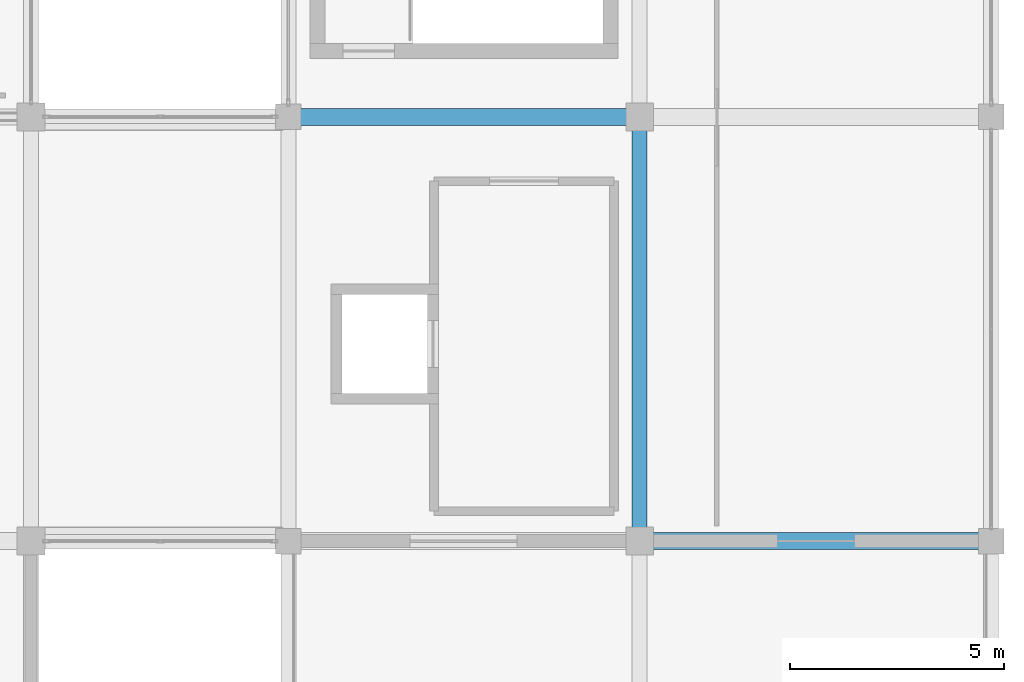
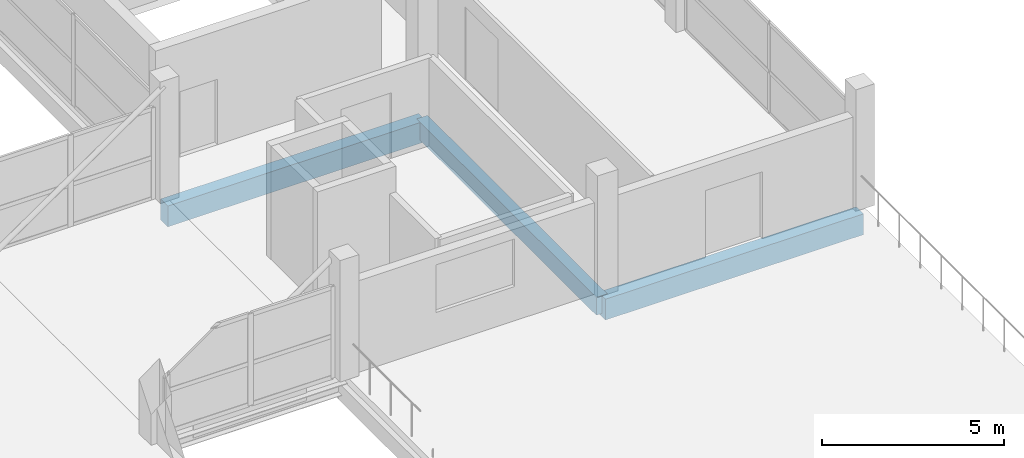
# One storey, part 16 of 53: 3 beams.
"""IFC4 building model written with IfcOpenShell, lengths in metres."""

import ifcopenshell
import ifcopenshell.guid

model = None  # the IFC model being written
_history = None  # IfcOwnerHistory: only IFC2X3 demands one
_inside = {}  # id of a spatial element -> (the spatial element, [elements in it])
_under = {}  # id of a project, library or spatial element -> (it, [spatial elements below it])
_declared = {}  # id of a project -> (the project, [libraries it declares])
_typed = {}  # id of a type object -> (the type object, [elements of that type])
_made_of = {}  # id of a material, layer set ... -> (it, [elements and type objects made of it])


def new_model(schema):
    """Start an empty IFC model of exactly this schema.

    Asked for "IFC4X3", IfcOpenShell would pick the latest addendum, in which some entities
    have other attributes; the version numbers below select the first issue.
    IFC2X3 requires an IfcOwnerHistory on every rooted entity: one is made here for all.
    """
    global model, _history
    if schema == "IFC4X3":
        model = ifcopenshell.file(schema_version=(4, 3, 0, 0))
    else:
        model = ifcopenshell.file(schema=schema)
    _inside.clear()
    _under.clear()
    _declared.clear()
    _typed.clear()
    _made_of.clear()
    _history = None
    if model.schema == "IFC2X3":
        org = make("IfcOrganization", Name="unknown")
        user = make(
            "IfcPersonAndOrganization",
            ThePerson=make("IfcPerson", FamilyName="unknown"),
            TheOrganization=org,
        )
        app = make(
            "IfcApplication",
            ApplicationDeveloper=org,
            Version="unknown",
            ApplicationFullName="unknown",
            ApplicationIdentifier="unknown",
        )
        _history = make(
            "IfcOwnerHistory",
            OwningUser=user,
            OwningApplication=app,
            ChangeAction="ADDED",
            CreationDate=0,
        )
    return model


def make(cls, **values):
    """One entity of the class cls with the attributes given. An attribute that is None is left unset."""
    return model.create_entity(
        cls, **{name: value for name, value in values.items() if value is not None}
    )


def rooted(cls, **values):
    """An entity with a GlobalId (a new one), such as an element, a storey or a relation."""
    return make(cls, GlobalId=ifcopenshell.guid.new(), OwnerHistory=_history, **values)


def si_unit(unit_type, name, prefix=None):
    """IfcSIUnit, for example si_unit("LENGTHUNIT", "METRE", prefix="MILLI")."""
    return make("IfcSIUnit", UnitType=unit_type, Prefix=prefix, Name=name)


def assignment(units):
    """IfcUnitAssignment: the units of a project."""
    return None if units is None else make("IfcUnitAssignment", Units=units)


def point(xyz):
    """IfcCartesianPoint."""
    return None if xyz is None else make("IfcCartesianPoint", Coordinates=xyz)


def direction(xyz):
    """IfcDirection."""
    return None if xyz is None else make("IfcDirection", DirectionRatios=xyz)


def frame(location, z_axis=None, x_axis=None):
    """IfcAxis2Placement3D, a coordinate frame: its origin and axes. An axis left out is left unset."""
    return make(
        "IfcAxis2Placement3D",
        Location=point(location),
        Axis=direction(z_axis),
        RefDirection=direction(x_axis),
    )


def frame_2d(location, x_axis=None):
    """IfcAxis2Placement2D, a coordinate frame in the plane: its origin and x axis."""
    return make(
        "IfcAxis2Placement2D", Location=point(location), RefDirection=direction(x_axis)
    )


def origin():
    """The frame at (0, 0, 0) with its axes left unset."""
    return frame((0.0, 0.0, 0.0))


def origin_2d():
    """The frame at (0, 0) in the plane with its x axis left unset."""
    return frame_2d((0.0, 0.0))


def place(relative_to, where):
    """IfcLocalPlacement: puts the frame where relative to a parent placement (None: the world)."""
    return make(
        "IfcLocalPlacement", PlacementRelTo=relative_to, RelativePlacement=where
    )


def context(
    kind, dimensions, precision=None, world=None, true_north=None, identifier=None
):
    """IfcGeometricRepresentationContext, for example the 3D "Model" context."""
    return make(
        "IfcGeometricRepresentationContext",
        ContextIdentifier=identifier,
        ContextType=kind,
        CoordinateSpaceDimension=dimensions,
        Precision=precision,
        WorldCoordinateSystem=world,
        TrueNorth=true_north,
    )


def subcontext(parent, identifier, kind, view, scale=None):
    """IfcGeometricRepresentationSubContext, for example "Body" below "Model"."""
    return make(
        "IfcGeometricRepresentationSubContext",
        ContextIdentifier=identifier,
        ContextType=kind,
        ParentContext=parent,
        TargetScale=scale,
        TargetView=view,
    )


def project(units=None, contexts=None):
    """IfcProject with its units and contexts."""
    return rooted(
        "IfcProject",
        Name="project",
        RepresentationContexts=contexts,
        UnitsInContext=assignment(units),
    )


def spatial(cls, under=None, at=None, **own):
    """A site, building, storey or space (cls), placed at a placement, below another one or the project."""
    s = rooted(cls, ObjectPlacement=at, **own)
    if under is not None:
        _under.setdefault(under.id(), (under, []))[1].append(s)
    return s


def profile(cls, at=None, kind="AREA", **sizes):
    """A parametric profile (cls). Its sizes go by their IFC names, for example OverallWidth=200.0."""
    return make(cls, ProfileType=kind, Position=at, **sizes)


def rectangle(**sizes):
    """IfcRectangleProfileDef."""
    return profile("IfcRectangleProfileDef", **sizes)


def extrude(swept, where, along, depth):
    """IfcExtrudedAreaSolid: the profile swept, set in the frame where, extruded along a direction by depth."""
    return make(
        "IfcExtrudedAreaSolid",
        SweptArea=swept,
        Position=where,
        ExtrudedDirection=direction(along),
        Depth=depth,
    )


def shape(context_of_items, identifier, shape_type, items):
    """IfcShapeRepresentation: the items that make up one representation, for example the "Body"."""
    return make(
        "IfcShapeRepresentation",
        ContextOfItems=context_of_items,
        RepresentationIdentifier=identifier,
        RepresentationType=shape_type,
        Items=items,
    )


def material(Name=None, Category=None):
    """IfcMaterial."""
    return make("IfcMaterial", Name=Name, Category=Category)


def material_profile(
    of_material, cross_section, Name=None, Category=None, Priority=None
):
    """IfcMaterialProfile: a cross section and its material."""
    return make(
        "IfcMaterialProfile",
        Name=Name,
        Material=of_material,
        Profile=cross_section,
        Priority=Priority,
        Category=Category,
    )


def profile_set(profiles, Name=None, composite=None):
    """IfcMaterialProfileSet."""
    return make(
        "IfcMaterialProfileSet",
        Name=Name,
        MaterialProfiles=profiles,
        CompositeProfile=composite,
    )


def made_of(thing, what):
    """Note that an element or type object is made of a material, layer set ...; save() writes the relation."""
    if what is not None:
        _made_of.setdefault(what.id(), (what, []))[1].append(thing)
    return thing


def type_object(cls, material=None, **own):
    """A type object (cls), such as IfcWallType, which elements share."""
    return made_of(rooted(cls, **own), material)


def element(
    cls,
    number,
    at=None,
    inside=None,
    cuts=None,
    type_object=None,
    material=None,
    context=None,
    identifier="Body",
    shape_type=None,
    held_by="IfcProductDefinitionShape",
    body=None,
    shapes=None,
    **own,
):
    """One element of the class cls, such as IfcWall. Its Tag is "e" and its number.

    at: its placement. inside: the storey or other place that contains it. cuts: it is an
    opening in that element (IfcRelVoidsElement). A single representation is given by context,
    identifier, shape_type and body (its items); several are given by shapes. held_by: the class
    of the entity that holds the representations. save() writes the other relations.
    """
    e = rooted(cls, Tag="e%d" % number, ObjectPlacement=at, **own)
    if body is not None:
        shapes = [shape(context, identifier, shape_type, body)]
    if shapes is not None:
        e.Representation = make(held_by, Representations=shapes)
    if inside is not None:
        _inside.setdefault(inside.id(), (inside, []))[1].append(e)
    if cuts is not None:
        rooted(
            "IfcRelVoidsElement", RelatingBuildingElement=cuts, RelatedOpeningElement=e
        )
    if type_object is not None:
        _typed.setdefault(type_object.id(), (type_object, []))[1].append(e)
    return made_of(e, material)


def aggregate(whole, parts):
    """IfcRelAggregates: a whole, such as a stair, and the parts it consists of."""
    return rooted("IfcRelAggregates", RelatingObject=whole, RelatedObjects=parts)


def save(model, path):
    """Write the relations noted so far, then the file.

    IfcRelAggregates (storeys below a building ...), IfcRelContainedInSpatialStructure (elements
    in a storey), IfcRelDefinesByType, IfcRelAssociatesMaterial and IfcRelDeclares: one each for
    every whole, place, type object, material and project.
    """
    for whole, parts in _under.values():
        aggregate(whole, parts)
    for where, things in _inside.values():
        rooted(
            "IfcRelContainedInSpatialStructure",
            RelatedElements=things,
            RelatingStructure=where,
        )
    for kind, things in _typed.values():
        rooted("IfcRelDefinesByType", RelatedObjects=things, RelatingType=kind)
    for what, things in _made_of.values():
        rooted("IfcRelAssociatesMaterial", RelatedObjects=things, RelatingMaterial=what)
    for by, libraries in _declared.values():
        rooted("IfcRelDeclares", RelatingContext=by, RelatedDefinitions=libraries)
    model.write(path)


model = new_model("IFC4")

# Units and contexts
model_context = context("Model", 3, precision=1e-05, world=origin(), true_north=direction((0.0, 1.0)))
body_context = subcontext(model_context, "Body", "Model", "MODEL_VIEW")
ifc_project = project(units=[si_unit("LENGTHUNIT", "METRE"), si_unit("AREAUNIT", "SQUARE_METRE"), si_unit("VOLUMEUNIT", "CUBIC_METRE"), si_unit("PLANEANGLEUNIT", "RADIAN"), si_unit("MASSUNIT", "GRAM", prefix="KILO")], contexts=[model_context])

# Site, building, storey
site_placement = place(None, origin())
site = spatial("IfcSite", under=ifc_project, at=site_placement, CompositionType="ELEMENT")
building_placement = place(site_placement, origin())
building = spatial("IfcBuilding", under=site, at=building_placement, Name="Sillaruma Civic Art Gallery", CompositionType="ELEMENT")
storey_placement = place(building_placement, frame((0.0, 0.0, 70.3798828125)))
storey = spatial("IfcBuildingStorey", under=building, at=storey_placement, Name="L14", CompositionType="ELEMENT", Elevation=70.3798828125)

# Beams
ifc_material = material(Name="Concrete H35 (35 MPa)", Category="concrete")
ifc_material_profile_1 = material_profile(ifc_material, rectangle(XDim=0.35009765625, YDim=0.60009765625, at=origin_2d()), Name="RCB350x600")
ifc_profile_set_1 = profile_set([ifc_material_profile_1], Name="Concrete H35 (35 MPa)")
beam_type_1 = type_object("IfcBeamType", Name="BM-BEAM-RCB350x600", PredefinedType="BEAM", material=ifc_profile_set_1)
beam_placement = place(storey_placement, frame((106.199951171875, 39.60009765625, -0.5498046875), z_axis=(0.0, 1.0, 0.0), x_axis=(-1.0, 0.0, 0.0)))
element("IfcBeam", 1, at=beam_placement, inside=storey, type_object=beam_type_1, Name="Beam BM-06 (L13:M:5-6)", PredefinedType="BEAM", context=body_context, shape_type="SweptSolid", body=[
    extrude(rectangle(XDim=0.35009765625, YDim=0.60009765625, at=origin_2d()), origin(), (0.0, 0.0, 1.0), 9.89990234375),
])
ifc_material_profile_2 = material_profile(ifc_material, rectangle(XDim=0.39990234375, YDim=0.699951171875, at=origin_2d()), Name="RCB400x700")
ifc_profile_set_2 = profile_set([ifc_material_profile_2], Name="Concrete H35 (35 MPa)")
beam_type_2 = type_object("IfcBeamType", Name="BM-BEAM-RCB400x700", PredefinedType="BEAM", material=ifc_profile_set_2)
for number, where, z_axis, x_axis, name in (
    (2, (106.199951171875, 39.60009765625, -0.599853515625), (1.0, 0.0, 0.0), (0.0, 1.0, 0.0), "Beam BM-04 (L13:5:M-N)"),
    (3, (98.0, 49.5, -0.599853515625), (1.0, 0.0, 0.0), (0.0, 1.0, 0.0), "Beam BM-04 (L13:6:L-M)"),
):
    element("IfcBeam", number, at=place(storey_placement, frame(where, z_axis=z_axis, x_axis=x_axis)), inside=storey, type_object=beam_type_2, Name=name, PredefinedType="BEAM", context=body_context, shape_type="SweptSolid", body=[
        extrude(rectangle(XDim=0.39990234375, YDim=0.699951171875, at=origin_2d()), origin(), (0.0, 0.0, 1.0), 8.199951171875),
    ])

save(model, "model.ifc")
